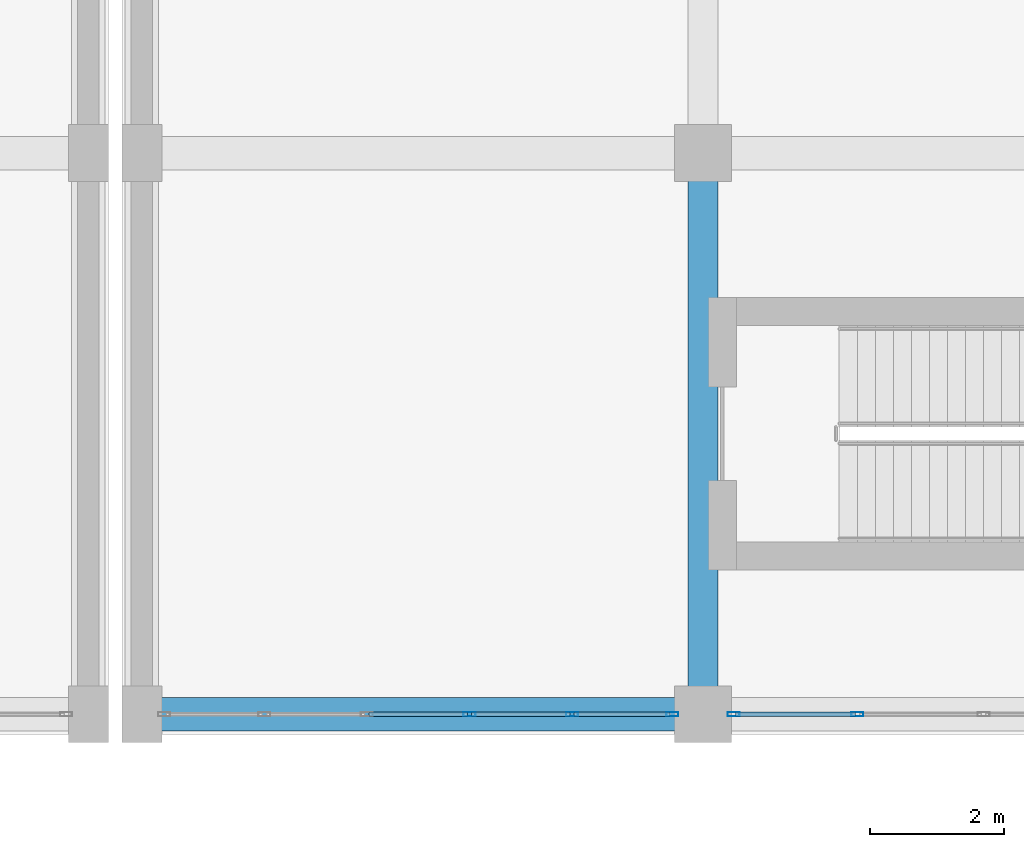
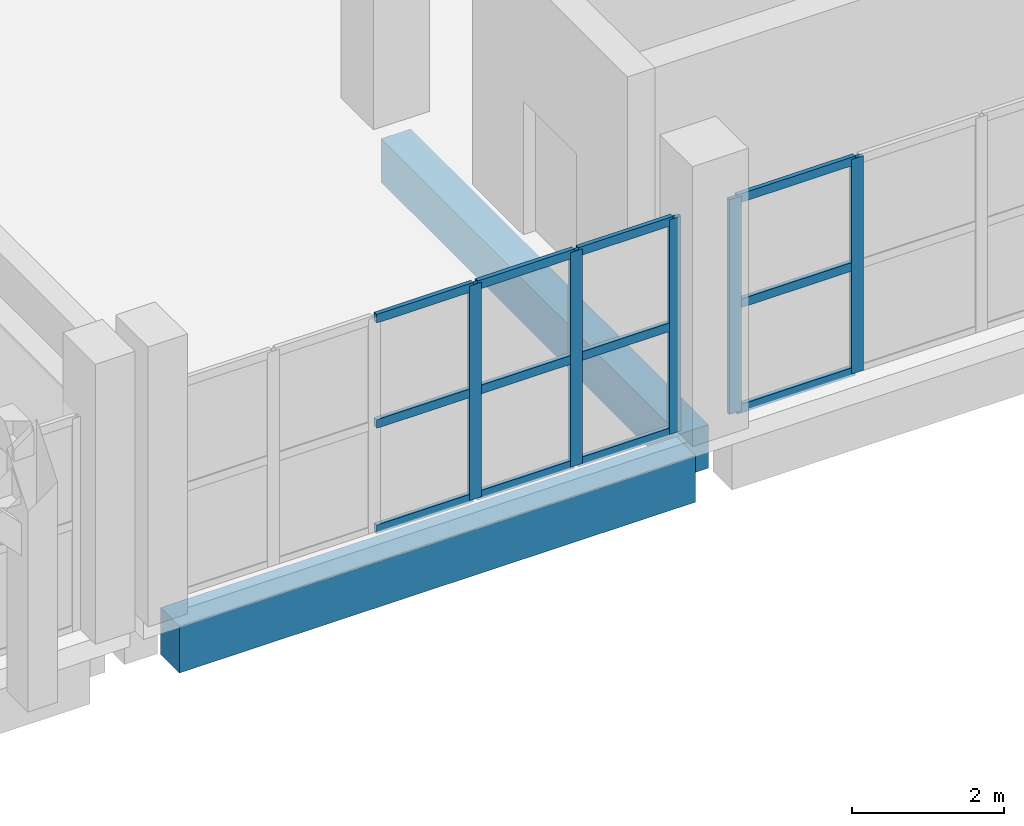
# One storey, part 31 of 137: 17 members, 2 beams, 2 elements without a shape of their own.
"""IFC4 building model written with IfcOpenShell, lengths in metres."""

from ifc_helpers import new_model, si_unit, direction, frame, origin, origin_2d, place, context, subcontext, project, spatial, rectangle, hollow_rectangle, extrude, material, layer, layer_set, material_profile, profile_set, type_object, element, aggregate, save


model = new_model("IFC4")

# Units and contexts
model_context = context("Model", 3, precision=1e-05, world=origin(), true_north=direction((0.0, 1.0)))
body_context = subcontext(model_context, "Body", "Model", "MODEL_VIEW")
ifc_project = project(units=[si_unit("LENGTHUNIT", "METRE"), si_unit("AREAUNIT", "SQUARE_METRE"), si_unit("VOLUMEUNIT", "CUBIC_METRE"), si_unit("PLANEANGLEUNIT", "RADIAN"), si_unit("MASSUNIT", "GRAM", prefix="KILO")], contexts=[model_context])

# Site, building, storey
site_placement = place(None, origin())
site = spatial("IfcSite", under=ifc_project, at=site_placement, CompositionType="ELEMENT")
building_placement = place(site_placement, origin())
building = spatial("IfcBuilding", under=site, at=building_placement, Name="Xazarin Passage Department Store", CompositionType="ELEMENT")
storey_placement = place(building_placement, frame((0.0, 0.0, 5.39990234375)))
storey = spatial("IfcBuildingStorey", under=building, at=storey_placement, Name="L01", CompositionType="ELEMENT", Elevation=5.39990234375)

# Curtain wall, members
ifc_material_1 = material(Name="Bronze anodised aluminium", Category="aluminium")
ifc_layer = layer(ifc_material_1, 0.159912109375)
ifc_layer_set = layer_set([ifc_layer], Name="Bronze anodised aluminium")
curtain_wall_type = type_object("IfcCurtainWallType", Name="ARC-CW-ARC1", PredefinedType="NOTDEFINED", material=ifc_layer_set)
curtain_wall_1_placement = place(storey_placement, origin())
curtain_wall_1 = element("IfcCurtainWall", 1, at=curtain_wall_1_placement, inside=storey, type_object=curtain_wall_type, Name="L01 V2S Curtain Wall 100", PredefinedType="NOTDEFINED")
ifc_material_profile_1 = material_profile(ifc_material_1, hollow_rectangle(XDim=0.06494140625, YDim=0.179931640625, WallThickness=0.00390625, at=origin_2d()), Name="ALU 65x180")
ifc_profile_set_1 = profile_set([ifc_material_profile_1], Name="Bronze anodised aluminium")
member_type_1 = type_object("IfcMemberType", Name="ARC-CWM-65x180", PredefinedType="MULLION", material=ifc_profile_set_1)
member_1_placement = place(storey_placement, frame((72.905029296875, 0.0, 0.0), z_axis=(0.0, 0.0, 1.0), x_axis=(0.0, 1.0, 0.0)))
member_1 = element("IfcMember", 2, at=member_1_placement, type_object=member_type_1, Name="CW3 mullion 4", PredefinedType="MULLION", context=body_context, shape_type="SweptSolid", body=[
    extrude(hollow_rectangle(XDim=0.06494140625, YDim=0.179931640625, WallThickness=0.00390625, at=origin_2d()), origin(), (0.0, 0.0, 1.0), 3.4501953125),
])
member_2_placement = place(storey_placement, frame((74.43994140625, 0.0, 0.0), z_axis=(0.0, 0.0, 1.0), x_axis=(0.0, 1.0, 0.0)))
member_2 = element("IfcMember", 3, at=member_2_placement, type_object=member_type_1, Name="CW3 mullion 5", PredefinedType="MULLION", context=body_context, shape_type="SweptSolid", body=[
    extrude(hollow_rectangle(XDim=0.06494140625, YDim=0.179931640625, WallThickness=0.00390625, at=origin_2d()), origin(), (0.0, 0.0, 1.0), 3.4501953125),
])
member_3_placement = place(storey_placement, frame((75.9423828125, 0.0, 0.0), z_axis=(0.0, 0.0, 1.0), x_axis=(0.0, 1.0, 0.0)))
member_3 = element("IfcMember", 4, at=member_3_placement, type_object=member_type_1, Name="CW3 mullion 6", PredefinedType="MULLION", context=body_context, shape_type="SweptSolid", body=[
    extrude(hollow_rectangle(XDim=0.06494140625, YDim=0.179931640625, WallThickness=0.00390625, at=origin_2d()), origin(), (0.0, 0.0, 1.0), 3.4501953125),
])

curtain_wall_2_placement = place(storey_placement, origin())
curtain_wall_2 = element("IfcCurtainWall", 5, at=curtain_wall_2_placement, inside=storey, type_object=curtain_wall_type, Name="L01 V2S Curtain Wall 101", PredefinedType="NOTDEFINED")
member_4_placement = place(storey_placement, frame((76.857421875, 0.0, 0.0), z_axis=(0.0, 0.0, 1.0), x_axis=(0.0, 1.0, 0.0)))
member_4 = element("IfcMember", 6, at=member_4_placement, type_object=member_type_1, Name="CW3 mullion 1", PredefinedType="MULLION", context=body_context, shape_type="SweptSolid", body=[
    extrude(hollow_rectangle(XDim=0.06494140625, YDim=0.179931640625, WallThickness=0.00390625, at=origin_2d()), origin(), (0.0, 0.0, 1.0), 3.4501953125),
])
member_5_placement = place(storey_placement, frame((78.71240234375, 0.0, 0.0), z_axis=(0.0, 0.0, 1.0), x_axis=(0.0, 1.0, 0.0)))
member_5 = element("IfcMember", 7, at=member_5_placement, type_object=member_type_1, Name="CW3 mullion 2", PredefinedType="MULLION", context=body_context, shape_type="SweptSolid", body=[
    extrude(hollow_rectangle(XDim=0.06494140625, YDim=0.179931640625, WallThickness=0.00390625, at=origin_2d()), origin(), (0.0, 0.0, 1.0), 3.4501953125),
])

# Member
ifc_material_profile_2 = material_profile(ifc_material_1, hollow_rectangle(XDim=0.06494140625, YDim=0.139892578125, WallThickness=0.00390625, at=origin_2d()), Name="ALU 65x140")
ifc_profile_set_2 = profile_set([ifc_material_profile_2], Name="Bronze anodised aluminium")
member_type_2 = type_object("IfcMemberType", Name="ARC-CWT-65x140", PredefinedType="USERDEFINED", material=ifc_profile_set_2)
member_6_placement = place(storey_placement, frame((71.402587890625, 0.0, 0.03271484375), z_axis=(1.0, 0.0, 0.0), x_axis=(0.0, 1.0, 0.0)))
member_6 = element("IfcMember", 8, at=member_6_placement, type_object=member_type_2, Name="CW3 transom 3.1", ObjectType="TRANSOM", PredefinedType="USERDEFINED", context=body_context, shape_type="SweptSolid", body=[
    extrude(hollow_rectangle(XDim=0.06494140625, YDim=0.139892578125, WallThickness=0.00390625, at=origin_2d()), origin(), (0.0, 0.0, 1.0), 1.469970703125),
])

member_7_placement = place(storey_placement, frame((71.402587890625, 0.0, 1.72509765625), z_axis=(1.0, 0.0, 0.0), x_axis=(0.0, 1.0, 0.0)))
member_7 = element("IfcMember", 9, at=member_7_placement, type_object=member_type_2, Name="CW3 transom 3.2", ObjectType="TRANSOM", PredefinedType="USERDEFINED", context=body_context, shape_type="SweptSolid", body=[
    extrude(hollow_rectangle(XDim=0.06494140625, YDim=0.139892578125, WallThickness=0.00390625, at=origin_2d()), origin(), (0.0, 0.0, 1.0), 1.469970703125),
])

member_8_placement = place(storey_placement, frame((71.402587890625, 0.0, 3.41748046875), z_axis=(1.0, 0.0, 0.0), x_axis=(0.0, 1.0, 0.0)))
member_8 = element("IfcMember", 10, at=member_8_placement, type_object=member_type_2, Name="CW3 transom 3.3", ObjectType="TRANSOM", PredefinedType="USERDEFINED", context=body_context, shape_type="SweptSolid", body=[
    extrude(hollow_rectangle(XDim=0.06494140625, YDim=0.139892578125, WallThickness=0.00390625, at=origin_2d()), origin(), (0.0, 0.0, 1.0), 1.469970703125),
])

member_9_placement = place(storey_placement, frame((72.9375, 0.0, 0.03271484375), z_axis=(1.0, 0.0, 0.0), x_axis=(0.0, 1.0, 0.0)))
member_9 = element("IfcMember", 11, at=member_9_placement, type_object=member_type_2, Name="CW3 transom 4.1", ObjectType="TRANSOM", PredefinedType="USERDEFINED", context=body_context, shape_type="SweptSolid", body=[
    extrude(hollow_rectangle(XDim=0.06494140625, YDim=0.139892578125, WallThickness=0.00390625, at=origin_2d()), origin(), (0.0, 0.0, 1.0), 1.469970703125),
])

member_10_placement = place(storey_placement, frame((72.9375, 0.0, 1.72509765625), z_axis=(1.0, 0.0, 0.0), x_axis=(0.0, 1.0, 0.0)))
member_10 = element("IfcMember", 12, at=member_10_placement, type_object=member_type_2, Name="CW3 transom 4.2", ObjectType="TRANSOM", PredefinedType="USERDEFINED", context=body_context, shape_type="SweptSolid", body=[
    extrude(hollow_rectangle(XDim=0.06494140625, YDim=0.139892578125, WallThickness=0.00390625, at=origin_2d()), origin(), (0.0, 0.0, 1.0), 1.469970703125),
])

member_11_placement = place(storey_placement, frame((72.9375, 0.0, 3.41748046875), z_axis=(1.0, 0.0, 0.0), x_axis=(0.0, 1.0, 0.0)))
member_11 = element("IfcMember", 13, at=member_11_placement, type_object=member_type_2, Name="CW3 transom 4.3", ObjectType="TRANSOM", PredefinedType="USERDEFINED", context=body_context, shape_type="SweptSolid", body=[
    extrude(hollow_rectangle(XDim=0.06494140625, YDim=0.139892578125, WallThickness=0.00390625, at=origin_2d()), origin(), (0.0, 0.0, 1.0), 1.469970703125),
])

member_12_placement = place(storey_placement, frame((74.472412109375, 0.0, 0.03271484375), z_axis=(1.0, 0.0, 0.0), x_axis=(0.0, 1.0, 0.0)))
member_12 = element("IfcMember", 14, at=member_12_placement, type_object=member_type_2, Name="CW3 transom 5.1", ObjectType="TRANSOM", PredefinedType="USERDEFINED", context=body_context, shape_type="SweptSolid", body=[
    extrude(hollow_rectangle(XDim=0.06494140625, YDim=0.139892578125, WallThickness=0.00390625, at=origin_2d()), origin(), (0.0, 0.0, 1.0), 1.4375),
])

member_13_placement = place(storey_placement, frame((74.472412109375, 0.0, 1.72509765625), z_axis=(1.0, 0.0, 0.0), x_axis=(0.0, 1.0, 0.0)))
member_13 = element("IfcMember", 15, at=member_13_placement, type_object=member_type_2, Name="CW3 transom 5.2", ObjectType="TRANSOM", PredefinedType="USERDEFINED", context=body_context, shape_type="SweptSolid", body=[
    extrude(hollow_rectangle(XDim=0.06494140625, YDim=0.139892578125, WallThickness=0.00390625, at=origin_2d()), origin(), (0.0, 0.0, 1.0), 1.4375),
])

member_14_placement = place(storey_placement, frame((74.472412109375, 0.0, 3.41748046875), z_axis=(1.0, 0.0, 0.0), x_axis=(0.0, 1.0, 0.0)))
member_14 = element("IfcMember", 16, at=member_14_placement, type_object=member_type_2, Name="CW3 transom 5.3", ObjectType="TRANSOM", PredefinedType="USERDEFINED", context=body_context, shape_type="SweptSolid", body=[
    extrude(hollow_rectangle(XDim=0.06494140625, YDim=0.139892578125, WallThickness=0.00390625, at=origin_2d()), origin(), (0.0, 0.0, 1.0), 1.4375),
])

aggregate(curtain_wall_1, [member_1, member_2, member_3, member_6, member_7, member_8, member_9, member_10, member_11, member_12, member_13, member_14])

member_15_placement = place(storey_placement, frame((76.889892578125, 0.0, 0.03271484375), z_axis=(1.0, 0.0, 0.0), x_axis=(0.0, 1.0, 0.0)))
member_15 = element("IfcMember", 17, at=member_15_placement, type_object=member_type_2, Name="CW3 transom 1.1", ObjectType="TRANSOM", PredefinedType="USERDEFINED", context=body_context, shape_type="SweptSolid", body=[
    extrude(hollow_rectangle(XDim=0.06494140625, YDim=0.139892578125, WallThickness=0.00390625, at=origin_2d()), origin(), (0.0, 0.0, 1.0), 1.7900390625),
])

member_16_placement = place(storey_placement, frame((76.889892578125, 0.0, 1.72509765625), z_axis=(1.0, 0.0, 0.0), x_axis=(0.0, 1.0, 0.0)))
member_16 = element("IfcMember", 18, at=member_16_placement, type_object=member_type_2, Name="CW3 transom 1.2", ObjectType="TRANSOM", PredefinedType="USERDEFINED", context=body_context, shape_type="SweptSolid", body=[
    extrude(hollow_rectangle(XDim=0.06494140625, YDim=0.139892578125, WallThickness=0.00390625, at=origin_2d()), origin(), (0.0, 0.0, 1.0), 1.7900390625),
])

member_17_placement = place(storey_placement, frame((76.889892578125, 0.0, 3.41748046875), z_axis=(1.0, 0.0, 0.0), x_axis=(0.0, 1.0, 0.0)))
member_17 = element("IfcMember", 19, at=member_17_placement, type_object=member_type_2, Name="CW3 transom 1.3", ObjectType="TRANSOM", PredefinedType="USERDEFINED", context=body_context, shape_type="SweptSolid", body=[
    extrude(hollow_rectangle(XDim=0.06494140625, YDim=0.139892578125, WallThickness=0.00390625, at=origin_2d()), origin(), (0.0, 0.0, 1.0), 1.7900390625),
])

aggregate(curtain_wall_2, [member_4, member_5, member_15, member_16, member_17])

# Beams
ifc_material_2 = material(Name="Concrete C35/45", Category="concrete")
ifc_material_profile_3 = material_profile(ifc_material_2, rectangle(XDim=0.449951171875, YDim=0.699951171875, at=origin_2d()), Name="RC 450x700")
ifc_profile_set_3 = profile_set([ifc_material_profile_3], Name="Concrete C35/45")
beam_type_1 = type_object("IfcBeamType", Name="STR-BM-G450x700", PredefinedType="BEAM", material=ifc_profile_set_3)
beam_1_placement = place(storey_placement, frame((76.39990234375, 0.280029296875, -0.64990234375), z_axis=(0.0, 1.0, 0.0), x_axis=(-1.0, 0.0, 0.0)))
element("IfcBeam", 20, at=beam_1_placement, inside=storey, type_object=beam_type_1, Name="L01 Grid Beam 11/A-B", PredefinedType="BEAM", context=body_context, shape_type="SweptSolid", body=[
    extrude(rectangle(XDim=0.449951171875, YDim=0.699951171875, at=origin_2d()), origin(), (0.0, 0.0, 1.0), 7.840087890625),
])
ifc_material_profile_4 = material_profile(ifc_material_2, rectangle(XDim=0.5, YDim=0.75, at=origin_2d()), Name="RC 500x750")
ifc_profile_set_4 = profile_set([ifc_material_profile_4], Name="Concrete C35/45")
beam_type_2 = type_object("IfcBeamType", Name="STR-BM-SP500x750", PredefinedType="SPANDREL", material=ifc_profile_set_4)
beam_2_placement = place(storey_placement, frame((68.280029296875, 0.0, -0.6748046875), z_axis=(1.0, 0.0, 0.0), x_axis=(0.0, 1.0, 0.0)))
element("IfcBeam", 21, at=beam_2_placement, inside=storey, type_object=beam_type_2, Name="L01 Grid Beam A/10-11", PredefinedType="SPANDREL", context=body_context, shape_type="SweptSolid", body=[
    extrude(rectangle(XDim=0.5, YDim=0.75, at=origin_2d()), origin(), (0.0, 0.0, 1.0), 7.840087890625),
])

save(model, "model.ifc")
